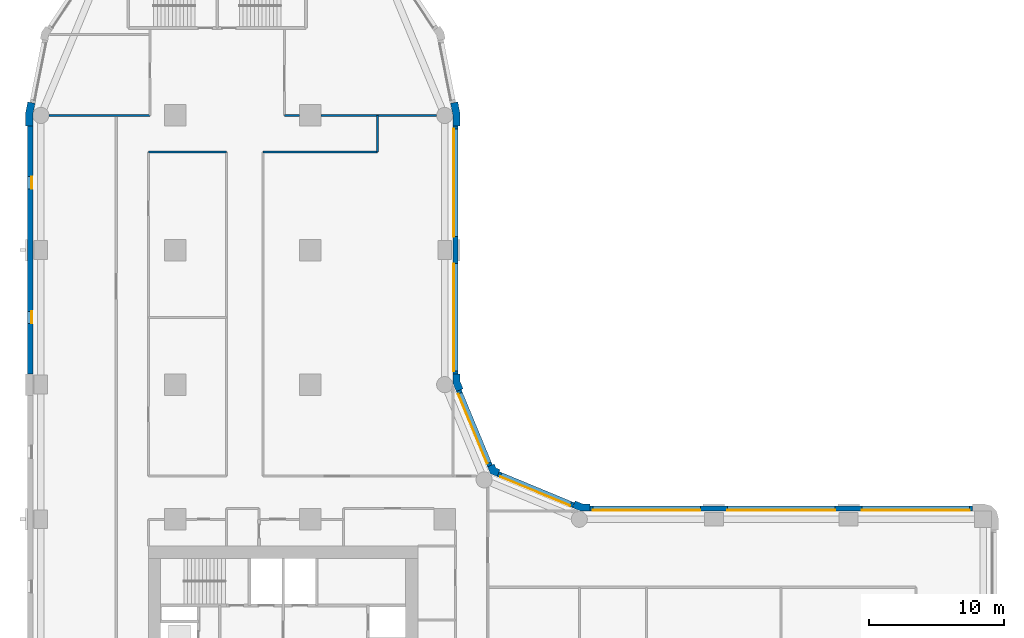
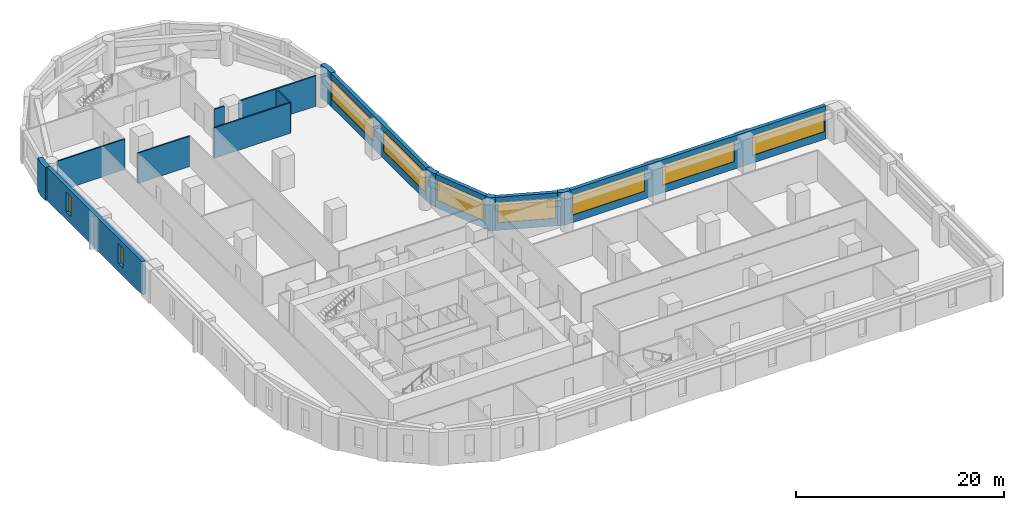
# One storey, part 6 of 11: 16 walls, 9 windows, 9 openings.
"""IFC4 building model written with IfcOpenShell, lengths in metres."""

import ifcopenshell
import ifcopenshell.guid

model = None  # the IFC model being written
_history = None  # IfcOwnerHistory: only IFC2X3 demands one
_inside = {}  # id of a spatial element -> (the spatial element, [elements in it])
_under = {}  # id of a project, library or spatial element -> (it, [spatial elements below it])
_declared = {}  # id of a project -> (the project, [libraries it declares])
_typed = {}  # id of a type object -> (the type object, [elements of that type])
_made_of = {}  # id of a material, layer set ... -> (it, [elements and type objects made of it])


def new_model(schema):
    """Start an empty IFC model of exactly this schema.

    Asked for "IFC4X3", IfcOpenShell would pick the latest addendum, in which some entities
    have other attributes; the version numbers below select the first issue.
    IFC2X3 requires an IfcOwnerHistory on every rooted entity: one is made here for all.
    """
    global model, _history
    if schema == "IFC4X3":
        model = ifcopenshell.file(schema_version=(4, 3, 0, 0))
    else:
        model = ifcopenshell.file(schema=schema)
    _inside.clear()
    _under.clear()
    _declared.clear()
    _typed.clear()
    _made_of.clear()
    _history = None
    if model.schema == "IFC2X3":
        org = make("IfcOrganization", Name="unknown")
        user = make(
            "IfcPersonAndOrganization",
            ThePerson=make("IfcPerson", FamilyName="unknown"),
            TheOrganization=org,
        )
        app = make(
            "IfcApplication",
            ApplicationDeveloper=org,
            Version="unknown",
            ApplicationFullName="unknown",
            ApplicationIdentifier="unknown",
        )
        _history = make(
            "IfcOwnerHistory",
            OwningUser=user,
            OwningApplication=app,
            ChangeAction="ADDED",
            CreationDate=0,
        )
    return model


def make(cls, **values):
    """One entity of the class cls with the attributes given. An attribute that is None is left unset."""
    return model.create_entity(
        cls, **{name: value for name, value in values.items() if value is not None}
    )


def rooted(cls, **values):
    """An entity with a GlobalId (a new one), such as an element, a storey or a relation."""
    return make(cls, GlobalId=ifcopenshell.guid.new(), OwnerHistory=_history, **values)


def si_unit(unit_type, name, prefix=None):
    """IfcSIUnit, for example si_unit("LENGTHUNIT", "METRE", prefix="MILLI")."""
    return make("IfcSIUnit", UnitType=unit_type, Prefix=prefix, Name=name)


def assignment(units):
    """IfcUnitAssignment: the units of a project."""
    return None if units is None else make("IfcUnitAssignment", Units=units)


def point(xyz):
    """IfcCartesianPoint."""
    return None if xyz is None else make("IfcCartesianPoint", Coordinates=xyz)


def direction(xyz):
    """IfcDirection."""
    return None if xyz is None else make("IfcDirection", DirectionRatios=xyz)


def frame(location, z_axis=None, x_axis=None):
    """IfcAxis2Placement3D, a coordinate frame: its origin and axes. An axis left out is left unset."""
    return make(
        "IfcAxis2Placement3D",
        Location=point(location),
        Axis=direction(z_axis),
        RefDirection=direction(x_axis),
    )


def frame_2d(location, x_axis=None):
    """IfcAxis2Placement2D, a coordinate frame in the plane: its origin and x axis."""
    return make(
        "IfcAxis2Placement2D", Location=point(location), RefDirection=direction(x_axis)
    )


def origin():
    """The frame at (0, 0, 0) with its axes left unset."""
    return frame((0.0, 0.0, 0.0))


def place(relative_to, where):
    """IfcLocalPlacement: puts the frame where relative to a parent placement (None: the world)."""
    return make(
        "IfcLocalPlacement", PlacementRelTo=relative_to, RelativePlacement=where
    )


def context(
    kind, dimensions, precision=None, world=None, true_north=None, identifier=None
):
    """IfcGeometricRepresentationContext, for example the 3D "Model" context."""
    return make(
        "IfcGeometricRepresentationContext",
        ContextIdentifier=identifier,
        ContextType=kind,
        CoordinateSpaceDimension=dimensions,
        Precision=precision,
        WorldCoordinateSystem=world,
        TrueNorth=true_north,
    )


def subcontext(parent, identifier, kind, view, scale=None):
    """IfcGeometricRepresentationSubContext, for example "Body" below "Model"."""
    return make(
        "IfcGeometricRepresentationSubContext",
        ContextIdentifier=identifier,
        ContextType=kind,
        ParentContext=parent,
        TargetScale=scale,
        TargetView=view,
    )


def project(units=None, contexts=None):
    """IfcProject with its units and contexts."""
    return rooted(
        "IfcProject",
        Name="project",
        RepresentationContexts=contexts,
        UnitsInContext=assignment(units),
    )


def spatial(cls, under=None, at=None, **own):
    """A site, building, storey or space (cls), placed at a placement, below another one or the project."""
    s = rooted(cls, ObjectPlacement=at, **own)
    if under is not None:
        _under.setdefault(under.id(), (under, []))[1].append(s)
    return s


def polyline(points):
    """IfcPolyline through the points."""
    return make("IfcPolyline", Points=[point(p) for p in points])


def profile(cls, at=None, kind="AREA", **sizes):
    """A parametric profile (cls). Its sizes go by their IFC names, for example OverallWidth=200.0."""
    return make(cls, ProfileType=kind, Position=at, **sizes)


def rectangle(**sizes):
    """IfcRectangleProfileDef."""
    return profile("IfcRectangleProfileDef", **sizes)


def outline(outer, holes=None, kind="AREA"):
    """IfcArbitraryClosedProfileDef: a profile drawn as a closed curve; with holes, ...WithVoids."""
    if holes is None:
        return make("IfcArbitraryClosedProfileDef", ProfileType=kind, OuterCurve=outer)
    return make(
        "IfcArbitraryProfileDefWithVoids",
        ProfileType=kind,
        OuterCurve=outer,
        InnerCurves=holes,
    )


def extrude(swept, where, along, depth):
    """IfcExtrudedAreaSolid: the profile swept, set in the frame where, extruded along a direction by depth."""
    return make(
        "IfcExtrudedAreaSolid",
        SweptArea=swept,
        Position=where,
        ExtrudedDirection=direction(along),
        Depth=depth,
    )


def shape(context_of_items, identifier, shape_type, items):
    """IfcShapeRepresentation: the items that make up one representation, for example the "Body"."""
    return make(
        "IfcShapeRepresentation",
        ContextOfItems=context_of_items,
        RepresentationIdentifier=identifier,
        RepresentationType=shape_type,
        Items=items,
    )


def material(Name=None, Category=None):
    """IfcMaterial."""
    return make("IfcMaterial", Name=Name, Category=Category)


def layer(
    of_material, thickness, ventilated=None, Name=None, Category=None, Priority=None
):
    """IfcMaterialLayer: one layer of a wall or slab, of a material (None: an air gap)."""
    return make(
        "IfcMaterialLayer",
        Material=of_material,
        LayerThickness=thickness,
        IsVentilated=ventilated,
        Name=Name,
        Category=Category,
        Priority=Priority,
    )


def layer_set(layers, Name=None):
    """IfcMaterialLayerSet."""
    return make("IfcMaterialLayerSet", MaterialLayers=layers, LayerSetName=Name)


def made_of(thing, what):
    """Note that an element or type object is made of a material, layer set ...; save() writes the relation."""
    if what is not None:
        _made_of.setdefault(what.id(), (what, []))[1].append(thing)
    return thing


def type_object(cls, material=None, **own):
    """A type object (cls), such as IfcWallType, which elements share."""
    return made_of(rooted(cls, **own), material)


def element(
    cls,
    number,
    at=None,
    inside=None,
    cuts=None,
    type_object=None,
    material=None,
    context=None,
    identifier="Body",
    shape_type=None,
    held_by="IfcProductDefinitionShape",
    body=None,
    shapes=None,
    **own,
):
    """One element of the class cls, such as IfcWall. Its Tag is "e" and its number.

    at: its placement. inside: the storey or other place that contains it. cuts: it is an
    opening in that element (IfcRelVoidsElement). A single representation is given by context,
    identifier, shape_type and body (its items); several are given by shapes. held_by: the class
    of the entity that holds the representations. save() writes the other relations.
    """
    e = rooted(cls, Tag="e%d" % number, ObjectPlacement=at, **own)
    if body is not None:
        shapes = [shape(context, identifier, shape_type, body)]
    if shapes is not None:
        e.Representation = make(held_by, Representations=shapes)
    if inside is not None:
        _inside.setdefault(inside.id(), (inside, []))[1].append(e)
    if cuts is not None:
        rooted(
            "IfcRelVoidsElement", RelatingBuildingElement=cuts, RelatedOpeningElement=e
        )
    if type_object is not None:
        _typed.setdefault(type_object.id(), (type_object, []))[1].append(e)
    return made_of(e, material)


def fill(opening, filler):
    """IfcRelFillsElement: the door or window that sits in an opening."""
    return rooted(
        "IfcRelFillsElement",
        RelatingOpeningElement=opening,
        RelatedBuildingElement=filler,
    )


def aggregate(whole, parts):
    """IfcRelAggregates: a whole, such as a stair, and the parts it consists of."""
    return rooted("IfcRelAggregates", RelatingObject=whole, RelatedObjects=parts)


def save(model, path):
    """Write the relations noted so far, then the file.

    IfcRelAggregates (storeys below a building ...), IfcRelContainedInSpatialStructure (elements
    in a storey), IfcRelDefinesByType, IfcRelAssociatesMaterial and IfcRelDeclares: one each for
    every whole, place, type object, material and project.
    """
    for whole, parts in _under.values():
        aggregate(whole, parts)
    for where, things in _inside.values():
        rooted(
            "IfcRelContainedInSpatialStructure",
            RelatedElements=things,
            RelatingStructure=where,
        )
    for kind, things in _typed.values():
        rooted("IfcRelDefinesByType", RelatedObjects=things, RelatingType=kind)
    for what, things in _made_of.values():
        rooted("IfcRelAssociatesMaterial", RelatedObjects=things, RelatingMaterial=what)
    for by, libraries in _declared.values():
        rooted("IfcRelDeclares", RelatingContext=by, RelatedDefinitions=libraries)
    model.write(path)


model = new_model("IFC4")

# Units and contexts
model_context = context("Model", 3, precision=1e-05, world=origin(), true_north=direction((0.0, 1.0)))
body_context = subcontext(model_context, "Body", "Model", "MODEL_VIEW")
ifc_project = project(units=[si_unit("LENGTHUNIT", "METRE"), si_unit("AREAUNIT", "SQUARE_METRE"), si_unit("VOLUMEUNIT", "CUBIC_METRE"), si_unit("PLANEANGLEUNIT", "RADIAN"), si_unit("MASSUNIT", "GRAM", prefix="KILO")], contexts=[model_context])

# Site, building, storey
site_placement = place(None, origin())
site = spatial("IfcSite", under=ifc_project, at=site_placement, CompositionType="ELEMENT")
building_placement = place(site_placement, origin())
building = spatial("IfcBuilding", under=site, at=building_placement, Name="Qaws Garden Tower", CompositionType="ELEMENT")
storey_placement = place(building_placement, frame((0.0, 0.0, 90.0)))
storey = spatial("IfcBuildingStorey", under=building, at=storey_placement, Name="L22", CompositionType="ELEMENT", Elevation=90.0)

# Wall, openings, windows
ifc_material_1 = material(Name="Clay facing brick masonry", Category="masonry")
ifc_layer_1 = layer(ifc_material_1, 0.39990234375)
ifc_layer_set_1 = layer_set([ifc_layer_1], Name="Clay facing brick masonry")
wall_type_1 = type_object("IfcWallType", Name="Brick infill wall 400", PredefinedType="SOLIDWALL", material=ifc_layer_set_1)
wall_1_placement = place(storey_placement, frame((69.199951171875, 30.800048828125, 0.0), z_axis=(0.0, 0.0, 1.0), x_axis=(-1.0, 0.0, 0.0)))
wall_1 = element("IfcWall", 1, at=wall_1_placement, inside=storey, type_object=wall_type_1, Name="E-L22-infill-08", PredefinedType="SOLIDWALL", context=body_context, shape_type="SweptSolid", body=[
    extrude(rectangle(XDim=28.39990234375, YDim=0.39990234375, at=frame_2d((14.199951171875, 0.0))), origin(), (0.0, 0.0, 1.0), 3.89990234375),
])
opening_1_placement = place(wall_1_placement, frame((0.199951171875, 0.0, 0.89990234375)))
opening_1 = element("IfcOpeningElement", 2, at=opening_1_placement, cuts=wall_1, Name="Opening W01", PredefinedType="OPENING", context=body_context, shape_type="SweptSolid", body=[
    extrude(rectangle(XDim=8.0, YDim=2.35009765625, at=frame_2d((4.0, 1.175048828125))), frame((0.0, 0.2099609375, 0.0), z_axis=(0.0, -1.0, 0.0), x_axis=(1.0, 0.0, 0.0)), (0.0, 0.0, 1.0), 0.419921875),
])
opening_2_placement = place(wall_1_placement, frame((10.199951171875, 0.0, 0.89990234375)))
opening_2 = element("IfcOpeningElement", 3, at=opening_2_placement, cuts=wall_1, Name="Opening W01", PredefinedType="OPENING", context=body_context, shape_type="SweptSolid", body=[
    extrude(rectangle(XDim=8.0, YDim=2.35009765625, at=frame_2d((4.0, 1.175048828125))), frame((0.0, 0.2099609375, 0.0), z_axis=(0.0, -1.0, 0.0), x_axis=(1.0, 0.0, 0.0)), (0.0, 0.0, 1.0), 0.419921875),
])
opening_3_placement = place(wall_1_placement, frame((20.199951171875, 0.0, 0.89990234375)))
opening_3 = element("IfcOpeningElement", 4, at=opening_3_placement, cuts=wall_1, Name="Opening W01", PredefinedType="OPENING", context=body_context, shape_type="SweptSolid", body=[
    extrude(rectangle(XDim=8.0, YDim=2.35009765625, at=frame_2d((4.0, 1.175048828125))), frame((0.0, 0.2099609375, 0.0), z_axis=(0.0, -1.0, 0.0), x_axis=(1.0, 0.0, 0.0)), (0.0, 0.0, 1.0), 0.419921875),
])
ifc_material_2 = material(Name="Aluminium framed window, clear glazing", Category="aluminium")
window_type_1 = type_object("IfcWindowType", Name="Ribbon window 8000 x 2350", PartitioningType="DOUBLE_PANEL_VERTICAL", PredefinedType="WINDOW", material=ifc_material_2)
window_1_placement = place(opening_1_placement, origin())
window_1 = element("IfcWindow", 5, at=window_1_placement, inside=storey, type_object=window_type_1, Name="E-L22-window-08-0", OverallHeight=2.35009765625, OverallWidth=8.0, PartitioningType="SINGLE_PANEL", PredefinedType="WINDOW", context=body_context, shape_type="SweptSolid", body=[
    extrude(rectangle(XDim=8.0, YDim=2.35009765625, at=frame_2d((4.0, 1.175048828125))), frame((0.0, 0.159912109375, 0.0), z_axis=(0.0, -1.0, 0.0), x_axis=(1.0, 0.0, 0.0)), (0.0, 0.0, 1.0), 0.06005859375),
])
fill(opening_1, window_1)
window_2_placement = place(opening_2_placement, origin())
window_2 = element("IfcWindow", 6, at=window_2_placement, inside=storey, type_object=window_type_1, Name="E-L22-window-09-0", OverallHeight=2.35009765625, OverallWidth=8.0, PartitioningType="SINGLE_PANEL", PredefinedType="WINDOW", context=body_context, shape_type="SweptSolid", body=[
    extrude(rectangle(XDim=8.0, YDim=2.35009765625, at=frame_2d((4.0, 1.175048828125))), frame((0.0, 0.159912109375, 0.0), z_axis=(0.0, -1.0, 0.0), x_axis=(1.0, 0.0, 0.0)), (0.0, 0.0, 1.0), 0.06005859375),
])
fill(opening_2, window_2)
window_3_placement = place(opening_3_placement, origin())
window_3 = element("IfcWindow", 7, at=window_3_placement, inside=storey, type_object=window_type_1, Name="E-L22-window-10-0", OverallHeight=2.35009765625, OverallWidth=8.0, PartitioningType="SINGLE_PANEL", PredefinedType="WINDOW", context=body_context, shape_type="SweptSolid", body=[
    extrude(rectangle(XDim=8.0, YDim=2.35009765625, at=frame_2d((4.0, 1.175048828125))), frame((0.0, 0.159912109375, 0.0), z_axis=(0.0, -1.0, 0.0), x_axis=(1.0, 0.0, 0.0)), (0.0, 0.0, 1.0), 0.06005859375),
])
fill(opening_3, window_3)

# Wall, opening, window
wall_2_placement = place(storey_placement, frame((39.56689453125, 31.04541015625, 0.0), z_axis=(0.0, 0.0, 1.0), x_axis=(-0.923891000409, 0.382655745237, 0.0)))
wall_2 = element("IfcWall", 8, at=wall_2_placement, inside=storey, type_object=wall_type_1, Name="E-L22-infill-11", PredefinedType="SOLIDWALL", context=body_context, shape_type="SweptSolid", body=[
    extrude(rectangle(XDim=6.053466796875, YDim=0.39990234375, at=frame_2d((3.02685546875, 0.0))), origin(), (0.0, 0.0, 1.0), 3.89990234375),
])
opening_4_placement = place(wall_2_placement, frame((0.226806640625, 0.0, 0.89990234375)))
opening_4 = element("IfcOpeningElement", 9, at=opening_4_placement, cuts=wall_2, Name="Opening W04", PredefinedType="OPENING", context=body_context, shape_type="SweptSolid", body=[
    extrude(rectangle(XDim=5.60009765625, YDim=2.35009765625, at=frame_2d((2.800048828125, 1.175048828125))), frame((0.0, 0.2099609375, 0.0), z_axis=(0.0, -1.0, 0.0), x_axis=(1.0, 0.0, 0.0)), (0.0, 0.0, 1.0), 0.419921875),
])
ifc_material_3 = material(Name="Aluminium framed window, clear glazing", Category="aluminium")
window_type_2 = type_object("IfcWindowType", Name="Ribbon window 5600 x 2350", PartitioningType="DOUBLE_PANEL_VERTICAL", PredefinedType="WINDOW", material=ifc_material_3)
window_4_placement = place(opening_4_placement, origin())
window_4 = element("IfcWindow", 10, at=window_4_placement, inside=storey, type_object=window_type_2, Name="E-L22-window-11-0", OverallHeight=2.35009765625, OverallWidth=5.60009765625, PartitioningType="SINGLE_PANEL", PredefinedType="WINDOW", context=body_context, shape_type="SweptSolid", body=[
    extrude(rectangle(XDim=5.60009765625, YDim=2.35009765625, at=frame_2d((2.800048828125, 1.175048828125))), frame((0.0, 0.159912109375, 0.0), z_axis=(0.0, -1.0, 0.0), x_axis=(1.0, 0.0, 0.0)), (0.0, 0.0, 1.0), 0.06005859375),
])
fill(opening_4, window_4)

wall_3_placement = place(storey_placement, frame((33.36181640625, 33.97412109375, 0.0), z_axis=(0.0, 0.0, 1.0), x_axis=(-0.382655745237, 0.923891000409, 0.0)))
wall_3 = element("IfcWall", 11, at=wall_3_placement, inside=storey, type_object=wall_type_1, Name="E-L22-infill-12", PredefinedType="SOLIDWALL", context=body_context, shape_type="SweptSolid", body=[
    extrude(rectangle(XDim=6.053466796875, YDim=0.39990234375, at=frame_2d((3.02685546875, 0.0))), origin(), (0.0, 0.0, 1.0), 3.89990234375),
])
opening_5_placement = place(wall_3_placement, frame((0.226806640625, 0.0, 0.89990234375)))
opening_5 = element("IfcOpeningElement", 12, at=opening_5_placement, cuts=wall_3, Name="Opening W04", PredefinedType="OPENING", context=body_context, shape_type="SweptSolid", body=[
    extrude(rectangle(XDim=5.60009765625, YDim=2.35009765625, at=frame_2d((2.800048828125, 1.175048828125))), frame((0.0, 0.2099609375, 0.0), z_axis=(0.0, -1.0, 0.0), x_axis=(1.0, 0.0, 0.0)), (0.0, 0.0, 1.0), 0.419921875),
])
window_5_placement = place(opening_5_placement, origin())
window_5 = element("IfcWindow", 13, at=window_5_placement, inside=storey, type_object=window_type_2, Name="E-L22-window-12-0", OverallHeight=2.35009765625, OverallWidth=5.60009765625, PartitioningType="SINGLE_PANEL", PredefinedType="WINDOW", context=body_context, shape_type="SweptSolid", body=[
    extrude(rectangle(XDim=5.60009765625, YDim=2.35009765625, at=frame_2d((2.800048828125, 1.175048828125))), frame((0.0, 0.159912109375, 0.0), z_axis=(0.0, -1.0, 0.0), x_axis=(1.0, 0.0, 0.0)), (0.0, 0.0, 1.0), 0.06005859375),
])
fill(opening_5, window_5)

# Wall, openings, windows
wall_4_placement = place(storey_placement, frame((30.800048828125, 40.800048828125, 0.0), z_axis=(0.0, 0.0, 1.0), x_axis=(0.0, 1.0, 0.0)))
wall_4 = element("IfcWall", 14, at=wall_4_placement, inside=storey, type_object=wall_type_1, Name="E-L22-infill-13", PredefinedType="SOLIDWALL", context=body_context, shape_type="SweptSolid", body=[
    extrude(rectangle(XDim=18.39990234375, YDim=0.39990234375, at=frame_2d((9.199951171875, 0.0))), origin(), (0.0, 0.0, 1.0), 3.89990234375),
])
opening_6_placement = place(wall_4_placement, frame((0.199951171875, 0.0, 0.89990234375)))
opening_6 = element("IfcOpeningElement", 15, at=opening_6_placement, cuts=wall_4, Name="Opening W01", PredefinedType="OPENING", context=body_context, shape_type="SweptSolid", body=[
    extrude(rectangle(XDim=8.0, YDim=2.35009765625, at=frame_2d((4.0, 1.175048828125))), frame((0.0, 0.2099609375, 0.0), z_axis=(0.0, -1.0, 0.0), x_axis=(1.0, 0.0, 0.0)), (0.0, 0.0, 1.0), 0.419921875),
])
opening_7_placement = place(wall_4_placement, frame((10.199951171875, 0.0, 0.89990234375)))
opening_7 = element("IfcOpeningElement", 16, at=opening_7_placement, cuts=wall_4, Name="Opening W01", PredefinedType="OPENING", context=body_context, shape_type="SweptSolid", body=[
    extrude(rectangle(XDim=8.0, YDim=2.35009765625, at=frame_2d((4.0, 1.175048828125))), frame((0.0, 0.2099609375, 0.0), z_axis=(0.0, -1.0, 0.0), x_axis=(1.0, 0.0, 0.0)), (0.0, 0.0, 1.0), 0.419921875),
])
window_6_placement = place(opening_6_placement, origin())
window_6 = element("IfcWindow", 17, at=window_6_placement, inside=storey, type_object=window_type_1, Name="E-L22-window-13-0", OverallHeight=2.35009765625, OverallWidth=8.0, PartitioningType="SINGLE_PANEL", PredefinedType="WINDOW", context=body_context, shape_type="SweptSolid", body=[
    extrude(rectangle(XDim=8.0, YDim=2.35009765625, at=frame_2d((4.0, 1.175048828125))), frame((0.0, 0.159912109375, 0.0), z_axis=(0.0, -1.0, 0.0), x_axis=(1.0, 0.0, 0.0)), (0.0, 0.0, 1.0), 0.06005859375),
])
fill(opening_6, window_6)
window_7_placement = place(opening_7_placement, origin())
window_7 = element("IfcWindow", 18, at=window_7_placement, inside=storey, type_object=window_type_1, Name="E-L22-window-14-0", OverallHeight=2.35009765625, OverallWidth=8.0, PartitioningType="SINGLE_PANEL", PredefinedType="WINDOW", context=body_context, shape_type="SweptSolid", body=[
    extrude(rectangle(XDim=8.0, YDim=2.35009765625, at=frame_2d((4.0, 1.175048828125))), frame((0.0, 0.159912109375, 0.0), z_axis=(0.0, -1.0, 0.0), x_axis=(1.0, 0.0, 0.0)), (0.0, 0.0, 1.0), 0.06005859375),
])
fill(opening_7, window_7)

wall_5_placement = place(storey_placement, frame((-0.800048828125, 59.199951171875, 0.0), z_axis=(0.0, 0.0, 1.0), x_axis=(0.0, -1.0, 0.0)))
wall_5 = element("IfcWall", 19, at=wall_5_placement, inside=storey, type_object=wall_type_1, Name="E-L22-infill-23", PredefinedType="SOLIDWALL", context=body_context, shape_type="SweptSolid", body=[
    extrude(rectangle(XDim=18.39990234375, YDim=0.39990234375, at=frame_2d((9.199951171875, 0.0))), origin(), (0.0, 0.0, 1.0), 3.89990234375),
])
opening_8_placement = place(wall_5_placement, frame((3.75, 0.0, 0.89990234375)))
opening_8 = element("IfcOpeningElement", 20, at=opening_8_placement, cuts=wall_5, Name="Opening W09", PredefinedType="OPENING", context=body_context, shape_type="SweptSolid", body=[
    extrude(rectangle(XDim=0.89990234375, YDim=2.35009765625, at=frame_2d((0.449951171875, 1.175048828125))), frame((0.0, 0.2099609375, 0.0), z_axis=(0.0, -1.0, 0.0), x_axis=(1.0, 0.0, 0.0)), (0.0, 0.0, 1.0), 0.419921875),
])
opening_9_placement = place(wall_5_placement, frame((13.75, 0.0, 0.89990234375)))
opening_9 = element("IfcOpeningElement", 21, at=opening_9_placement, cuts=wall_5, Name="Opening W09", PredefinedType="OPENING", context=body_context, shape_type="SweptSolid", body=[
    extrude(rectangle(XDim=0.89990234375, YDim=2.35009765625, at=frame_2d((0.449951171875, 1.175048828125))), frame((0.0, 0.2099609375, 0.0), z_axis=(0.0, -1.0, 0.0), x_axis=(1.0, 0.0, 0.0)), (0.0, 0.0, 1.0), 0.419921875),
])
ifc_material_4 = material(Name="Aluminium framed window, clear glazing", Category="aluminium")
window_type_3 = type_object("IfcWindowType", Name="Slit window 900 x 2350", PartitioningType="SINGLE_PANEL", PredefinedType="WINDOW", material=ifc_material_4)
window_8_placement = place(opening_8_placement, origin())
window_8 = element("IfcWindow", 22, at=window_8_placement, inside=storey, type_object=window_type_3, Name="E-L22-window-23-0", OverallHeight=2.35009765625, OverallWidth=0.89990234375, PartitioningType="SINGLE_PANEL", PredefinedType="WINDOW", context=body_context, shape_type="SweptSolid", body=[
    extrude(rectangle(XDim=0.89990234375, YDim=2.35009765625, at=frame_2d((0.449951171875, 1.175048828125))), frame((0.0, 0.159912109375, 0.0), z_axis=(0.0, -1.0, 0.0), x_axis=(1.0, 0.0, 0.0)), (0.0, 0.0, 1.0), 0.06005859375),
])
fill(opening_8, window_8)
window_9_placement = place(opening_9_placement, origin())
window_9 = element("IfcWindow", 23, at=window_9_placement, inside=storey, type_object=window_type_3, Name="E-L22-window-24-0", OverallHeight=2.35009765625, OverallWidth=0.89990234375, PartitioningType="SINGLE_PANEL", PredefinedType="WINDOW", context=body_context, shape_type="SweptSolid", body=[
    extrude(rectangle(XDim=0.89990234375, YDim=2.35009765625, at=frame_2d((0.449951171875, 1.175048828125))), frame((0.0, 0.159912109375, 0.0), z_axis=(0.0, -1.0, 0.0), x_axis=(1.0, 0.0, 0.0)), (0.0, 0.0, 1.0), 0.06005859375),
])
fill(opening_9, window_9)

# Walls
ifc_material_5 = material(Name="Clay facing brick masonry", Category="masonry")
ifc_layer_2 = layer(ifc_material_5, 0.550048828125)
ifc_layer_set_2 = layer_set([ifc_layer_2], Name="Clay facing brick masonry")
wall_type_2 = type_object("IfcWallType", Name="Brick pier 550 x 1600", PredefinedType="SOLIDWALL", material=ifc_layer_set_2)
placement = place(storey_placement, origin())
element("IfcWall", 24, at=placement, inside=storey, type_object=wall_type_2, Name="E-L22-pier-11", PredefinedType="SOLIDWALL", context=body_context, shape_type="SweptSolid", body=[
    extrude(outline(polyline([(40.800048828125, 31.0), (40.800048828125, 31.14990234375), (40.228759765625, 31.14990234375), (39.700927734375, 31.36865234375), (39.6435546875, 31.22998046875), (39.490478515625, 30.860595703125), (40.119384765625, 30.60009765625), (40.800048828125, 30.60009765625), (40.800048828125, 31.0)])), origin(), (0.0, 0.0, 1.0), 3.89990234375),
])
element("IfcWall", 25, at=placement, inside=storey, type_object=wall_type_2, Name="E-L22-pier-12", PredefinedType="SOLIDWALL", context=body_context, shape_type="SweptSolid", body=[
    extrude(outline(polyline([(34.05078125, 33.546630859375), (34.108154296875, 33.685302734375), (33.80908203125, 33.80908203125), (33.685302734375, 34.108154296875), (33.546630859375, 34.05078125), (33.177001953125, 33.897705078125), (33.38818359375, 33.38818359375), (33.897705078125, 33.177001953125), (34.05078125, 33.546630859375)])), origin(), (0.0, 0.0, 1.0), 3.89990234375),
])
element("IfcWall", 26, at=placement, inside=storey, type_object=wall_type_2, Name="E-L22-pier-13", PredefinedType="SOLIDWALL", context=body_context, shape_type="SweptSolid", body=[
    extrude(outline(polyline([(31.22998046875, 39.6435546875), (31.36865234375, 39.700927734375), (31.14990234375, 40.228759765625), (31.14990234375, 40.800048828125), (31.0, 40.800048828125), (30.60009765625, 40.800048828125), (30.60009765625, 40.119384765625), (30.860595703125, 39.490478515625), (31.22998046875, 39.6435546875)])), origin(), (0.0, 0.0, 1.0), 3.89990234375),
])
element("IfcWall", 27, at=placement, inside=storey, type_object=wall_type_2, Name="E-L22-pier-15", PredefinedType="SOLIDWALL", context=body_context, shape_type="SweptSolid", body=[
    extrude(outline(polyline([(31.0, 59.199951171875), (31.14990234375, 59.199951171875), (31.14990234375, 60.11328125), (30.971923828125, 61.009033203125), (30.82470703125, 60.979736328125), (30.432373046875, 60.901611328125), (30.60009765625, 60.05908203125), (30.60009765625, 59.199951171875), (31.0, 59.199951171875)])), origin(), (0.0, 0.0, 1.0), 3.89990234375),
])
element("IfcWall", 28, at=placement, inside=storey, type_object=wall_type_2, Name="E-L22-pier-23", PredefinedType="SOLIDWALL", context=body_context, shape_type="SweptSolid", body=[
    extrude(outline(polyline([(-0.82470703125, 60.979736328125), (-0.971923828125, 61.009033203125), (-1.14990234375, 60.11328125), (-1.14990234375, 59.199951171875), (-1.0, 59.199951171875), (-0.60009765625, 59.199951171875), (-0.60009765625, 60.05908203125), (-0.432373046875, 60.901611328125), (-0.82470703125, 60.979736328125)])), origin(), (0.0, 0.0, 1.0), 3.89990234375),
])
ifc_material_6 = material(Name="Gypsum board partition")
ifc_layer_3 = layer(ifc_material_6, 0.14990234375)
ifc_layer_set_3 = layer_set([ifc_layer_3], Name="Gypsum board partition")
wall_type_3 = type_object("IfcWallType", Name="PARTITION 150 EI 60", PredefinedType="PARTITIONING", material=ifc_layer_set_3)
wall_11_placement = place(storey_placement, frame((25.0, 57.300048828125, 0.0), z_axis=(0.0, 0.0, 1.0), x_axis=(0.0, 1.0, 0.0)))
element("IfcWall", 29, at=wall_11_placement, inside=storey, type_object=wall_type_3, Name="O-L22-wall-013", PredefinedType="PARTITIONING", context=body_context, shape_type="SweptSolid", body=[
    extrude(rectangle(XDim=2.699951171875, YDim=0.14990234375, at=frame_2d((1.35009765625, 0.0))), origin(), (0.0, 0.0, 1.0), 3.580078125),
])
wall_12_placement = place(storey_placement, frame((8.0, 57.300048828125, 0.0), z_axis=(0.0, 0.0, 1.0), x_axis=(1.0, 0.0, 0.0)))
element("IfcWall", 30, at=wall_12_placement, inside=storey, type_object=wall_type_3, Name="O-L22-wall-054", PredefinedType="PARTITIONING", context=body_context, shape_type="SweptSolid", body=[
    extrude(rectangle(XDim=5.800048828125, YDim=0.14990234375, at=frame_2d((2.89990234375, 0.0))), origin(), (0.0, 0.0, 1.0), 3.580078125),
])
wall_13_placement = place(storey_placement, frame((16.5, 57.300048828125, 0.0), z_axis=(0.0, 0.0, 1.0), x_axis=(1.0, 0.0, 0.0)))
element("IfcWall", 31, at=wall_13_placement, inside=storey, type_object=wall_type_3, Name="O-L22-wall-055", PredefinedType="PARTITIONING", context=body_context, shape_type="SweptSolid", body=[
    extrude(rectangle(XDim=8.5, YDim=0.14990234375, at=frame_2d((4.25, 0.0))), origin(), (0.0, 0.0, 1.0), 3.580078125),
])
wall_14_placement = place(storey_placement, frame((0.60009765625, 60.0, 0.0), z_axis=(0.0, 0.0, 1.0), x_axis=(1.0, 0.0, 0.0)))
element("IfcWall", 32, at=wall_14_placement, inside=storey, type_object=wall_type_3, Name="O-L22-wall-056", PredefinedType="PARTITIONING", context=body_context, shape_type="SweptSolid", body=[
    extrude(rectangle(XDim=7.5, YDim=0.14990234375, at=frame_2d((3.75, 0.0))), origin(), (0.0, 0.0, 1.0), 3.580078125),
])
wall_15_placement = place(storey_placement, frame((18.10009765625, 60.0, 0.0), z_axis=(0.0, 0.0, 1.0), x_axis=(1.0, 0.0, 0.0)))
element("IfcWall", 33, at=wall_15_placement, inside=storey, type_object=wall_type_3, Name="O-L22-wall-057", PredefinedType="PARTITIONING", context=body_context, shape_type="SweptSolid", body=[
    extrude(rectangle(XDim=1.099853515625, YDim=0.14990234375, at=frame_2d((0.5498046875, 0.0))), origin(), (0.0, 0.0, 1.0), 3.580078125),
])
wall_16_placement = place(storey_placement, frame((20.800048828125, 60.0, 0.0), z_axis=(0.0, 0.0, 1.0), x_axis=(1.0, 0.0, 0.0)))
element("IfcWall", 34, at=wall_16_placement, inside=storey, type_object=wall_type_3, Name="O-L22-wall-058", PredefinedType="PARTITIONING", context=body_context, shape_type="SweptSolid", body=[
    extrude(rectangle(XDim=8.599853515625, YDim=0.14990234375, at=frame_2d((4.2998046875, 0.0))), origin(), (0.0, 0.0, 1.0), 3.580078125),
])

save(model, "model.ifc")
